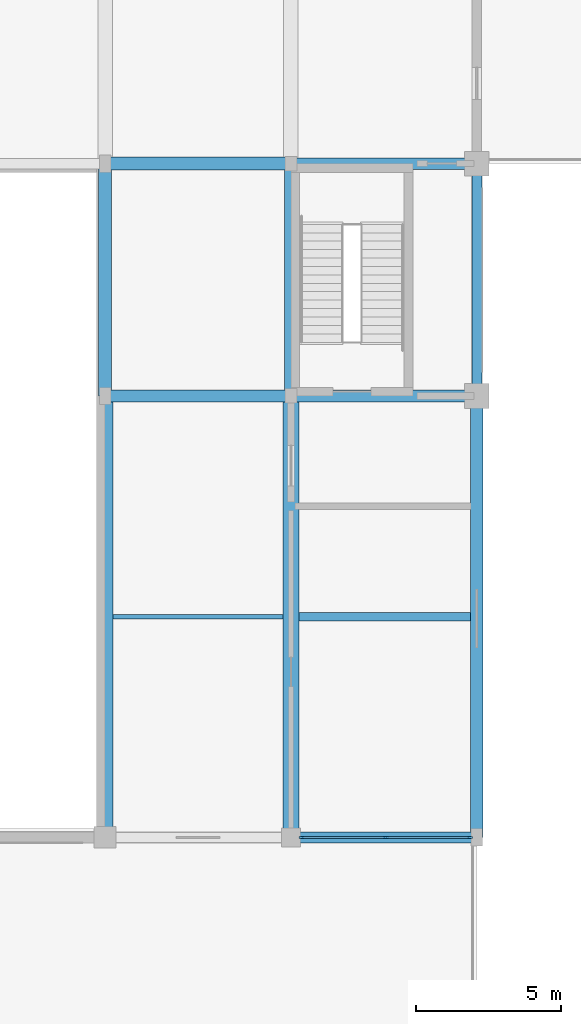
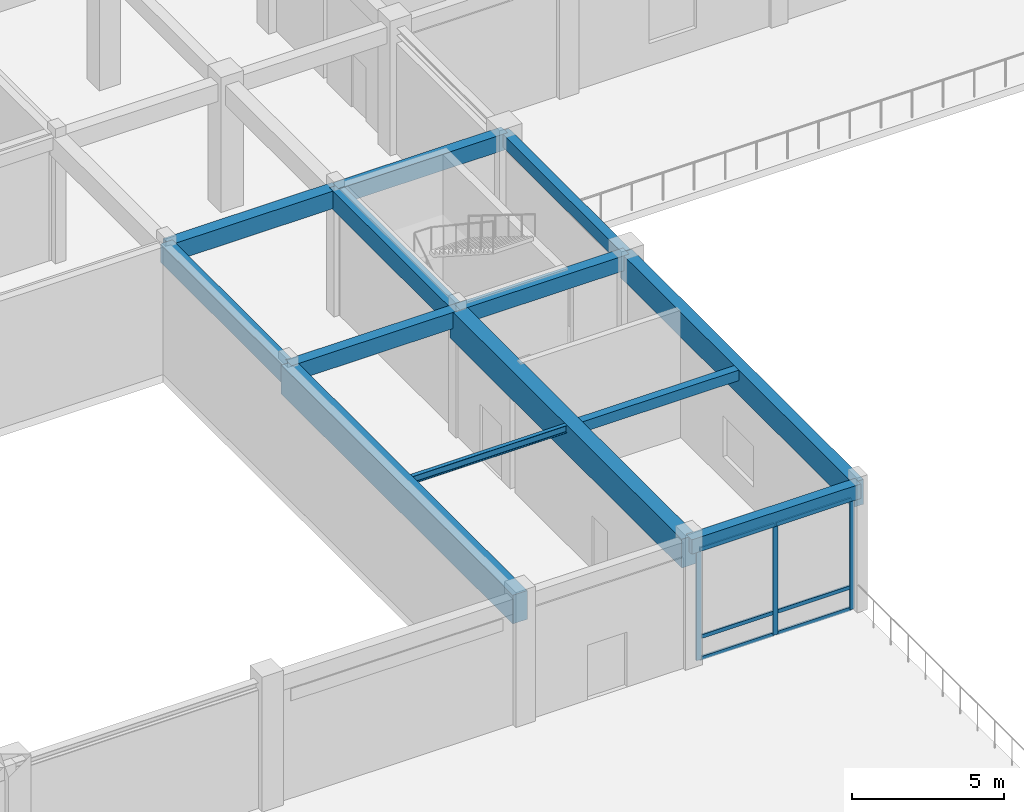
# One storey, part 4 of 36: 13 beams, 9 members, 1 element without a shape of its own.
"""IFC4 building model written with IfcOpenShell, lengths in metres."""

import ifcopenshell
import ifcopenshell.guid

model = None  # the IFC model being written
_history = None  # IfcOwnerHistory: only IFC2X3 demands one
_inside = {}  # id of a spatial element -> (the spatial element, [elements in it])
_under = {}  # id of a project, library or spatial element -> (it, [spatial elements below it])
_declared = {}  # id of a project -> (the project, [libraries it declares])
_typed = {}  # id of a type object -> (the type object, [elements of that type])
_made_of = {}  # id of a material, layer set ... -> (it, [elements and type objects made of it])


def new_model(schema):
    """Start an empty IFC model of exactly this schema.

    Asked for "IFC4X3", IfcOpenShell would pick the latest addendum, in which some entities
    have other attributes; the version numbers below select the first issue.
    IFC2X3 requires an IfcOwnerHistory on every rooted entity: one is made here for all.
    """
    global model, _history
    if schema == "IFC4X3":
        model = ifcopenshell.file(schema_version=(4, 3, 0, 0))
    else:
        model = ifcopenshell.file(schema=schema)
    _inside.clear()
    _under.clear()
    _declared.clear()
    _typed.clear()
    _made_of.clear()
    _history = None
    if model.schema == "IFC2X3":
        org = make("IfcOrganization", Name="unknown")
        user = make(
            "IfcPersonAndOrganization",
            ThePerson=make("IfcPerson", FamilyName="unknown"),
            TheOrganization=org,
        )
        app = make(
            "IfcApplication",
            ApplicationDeveloper=org,
            Version="unknown",
            ApplicationFullName="unknown",
            ApplicationIdentifier="unknown",
        )
        _history = make(
            "IfcOwnerHistory",
            OwningUser=user,
            OwningApplication=app,
            ChangeAction="ADDED",
            CreationDate=0,
        )
    return model


def make(cls, **values):
    """One entity of the class cls with the attributes given. An attribute that is None is left unset."""
    return model.create_entity(
        cls, **{name: value for name, value in values.items() if value is not None}
    )


def rooted(cls, **values):
    """An entity with a GlobalId (a new one), such as an element, a storey or a relation."""
    return make(cls, GlobalId=ifcopenshell.guid.new(), OwnerHistory=_history, **values)


def si_unit(unit_type, name, prefix=None):
    """IfcSIUnit, for example si_unit("LENGTHUNIT", "METRE", prefix="MILLI")."""
    return make("IfcSIUnit", UnitType=unit_type, Prefix=prefix, Name=name)


def assignment(units):
    """IfcUnitAssignment: the units of a project."""
    return None if units is None else make("IfcUnitAssignment", Units=units)


def point(xyz):
    """IfcCartesianPoint."""
    return None if xyz is None else make("IfcCartesianPoint", Coordinates=xyz)


def direction(xyz):
    """IfcDirection."""
    return None if xyz is None else make("IfcDirection", DirectionRatios=xyz)


def frame(location, z_axis=None, x_axis=None):
    """IfcAxis2Placement3D, a coordinate frame: its origin and axes. An axis left out is left unset."""
    return make(
        "IfcAxis2Placement3D",
        Location=point(location),
        Axis=direction(z_axis),
        RefDirection=direction(x_axis),
    )


def frame_2d(location, x_axis=None):
    """IfcAxis2Placement2D, a coordinate frame in the plane: its origin and x axis."""
    return make(
        "IfcAxis2Placement2D", Location=point(location), RefDirection=direction(x_axis)
    )


def origin():
    """The frame at (0, 0, 0) with its axes left unset."""
    return frame((0.0, 0.0, 0.0))


def origin_2d():
    """The frame at (0, 0) in the plane with its x axis left unset."""
    return frame_2d((0.0, 0.0))


def place(relative_to, where):
    """IfcLocalPlacement: puts the frame where relative to a parent placement (None: the world)."""
    return make(
        "IfcLocalPlacement", PlacementRelTo=relative_to, RelativePlacement=where
    )


def context(
    kind, dimensions, precision=None, world=None, true_north=None, identifier=None
):
    """IfcGeometricRepresentationContext, for example the 3D "Model" context."""
    return make(
        "IfcGeometricRepresentationContext",
        ContextIdentifier=identifier,
        ContextType=kind,
        CoordinateSpaceDimension=dimensions,
        Precision=precision,
        WorldCoordinateSystem=world,
        TrueNorth=true_north,
    )


def subcontext(parent, identifier, kind, view, scale=None):
    """IfcGeometricRepresentationSubContext, for example "Body" below "Model"."""
    return make(
        "IfcGeometricRepresentationSubContext",
        ContextIdentifier=identifier,
        ContextType=kind,
        ParentContext=parent,
        TargetScale=scale,
        TargetView=view,
    )


def project(units=None, contexts=None):
    """IfcProject with its units and contexts."""
    return rooted(
        "IfcProject",
        Name="project",
        RepresentationContexts=contexts,
        UnitsInContext=assignment(units),
    )


def spatial(cls, under=None, at=None, **own):
    """A site, building, storey or space (cls), placed at a placement, below another one or the project."""
    s = rooted(cls, ObjectPlacement=at, **own)
    if under is not None:
        _under.setdefault(under.id(), (under, []))[1].append(s)
    return s


def profile(cls, at=None, kind="AREA", **sizes):
    """A parametric profile (cls). Its sizes go by their IFC names, for example OverallWidth=200.0."""
    return make(cls, ProfileType=kind, Position=at, **sizes)


def rectangle(**sizes):
    """IfcRectangleProfileDef."""
    return profile("IfcRectangleProfileDef", **sizes)


def i_section(**sizes):
    """IfcIShapeProfileDef."""
    return profile("IfcIShapeProfileDef", **sizes)


def extrude(swept, where, along, depth):
    """IfcExtrudedAreaSolid: the profile swept, set in the frame where, extruded along a direction by depth."""
    return make(
        "IfcExtrudedAreaSolid",
        SweptArea=swept,
        Position=where,
        ExtrudedDirection=direction(along),
        Depth=depth,
    )


def shape(context_of_items, identifier, shape_type, items):
    """IfcShapeRepresentation: the items that make up one representation, for example the "Body"."""
    return make(
        "IfcShapeRepresentation",
        ContextOfItems=context_of_items,
        RepresentationIdentifier=identifier,
        RepresentationType=shape_type,
        Items=items,
    )


def material(Name=None, Category=None):
    """IfcMaterial."""
    return make("IfcMaterial", Name=Name, Category=Category)


def material_profile(
    of_material, cross_section, Name=None, Category=None, Priority=None
):
    """IfcMaterialProfile: a cross section and its material."""
    return make(
        "IfcMaterialProfile",
        Name=Name,
        Material=of_material,
        Profile=cross_section,
        Priority=Priority,
        Category=Category,
    )


def profile_set(profiles, Name=None, composite=None):
    """IfcMaterialProfileSet."""
    return make(
        "IfcMaterialProfileSet",
        Name=Name,
        MaterialProfiles=profiles,
        CompositeProfile=composite,
    )


def made_of(thing, what):
    """Note that an element or type object is made of a material, layer set ...; save() writes the relation."""
    if what is not None:
        _made_of.setdefault(what.id(), (what, []))[1].append(thing)
    return thing


def type_object(cls, material=None, **own):
    """A type object (cls), such as IfcWallType, which elements share."""
    return made_of(rooted(cls, **own), material)


def element(
    cls,
    number,
    at=None,
    inside=None,
    cuts=None,
    type_object=None,
    material=None,
    context=None,
    identifier="Body",
    shape_type=None,
    held_by="IfcProductDefinitionShape",
    body=None,
    shapes=None,
    **own,
):
    """One element of the class cls, such as IfcWall. Its Tag is "e" and its number.

    at: its placement. inside: the storey or other place that contains it. cuts: it is an
    opening in that element (IfcRelVoidsElement). A single representation is given by context,
    identifier, shape_type and body (its items); several are given by shapes. held_by: the class
    of the entity that holds the representations. save() writes the other relations.
    """
    e = rooted(cls, Tag="e%d" % number, ObjectPlacement=at, **own)
    if body is not None:
        shapes = [shape(context, identifier, shape_type, body)]
    if shapes is not None:
        e.Representation = make(held_by, Representations=shapes)
    if inside is not None:
        _inside.setdefault(inside.id(), (inside, []))[1].append(e)
    if cuts is not None:
        rooted(
            "IfcRelVoidsElement", RelatingBuildingElement=cuts, RelatedOpeningElement=e
        )
    if type_object is not None:
        _typed.setdefault(type_object.id(), (type_object, []))[1].append(e)
    return made_of(e, material)


def aggregate(whole, parts):
    """IfcRelAggregates: a whole, such as a stair, and the parts it consists of."""
    return rooted("IfcRelAggregates", RelatingObject=whole, RelatedObjects=parts)


def save(model, path):
    """Write the relations noted so far, then the file.

    IfcRelAggregates (storeys below a building ...), IfcRelContainedInSpatialStructure (elements
    in a storey), IfcRelDefinesByType, IfcRelAssociatesMaterial and IfcRelDeclares: one each for
    every whole, place, type object, material and project.
    """
    for whole, parts in _under.values():
        aggregate(whole, parts)
    for where, things in _inside.values():
        rooted(
            "IfcRelContainedInSpatialStructure",
            RelatedElements=things,
            RelatingStructure=where,
        )
    for kind, things in _typed.values():
        rooted("IfcRelDefinesByType", RelatedObjects=things, RelatingType=kind)
    for what, things in _made_of.values():
        rooted("IfcRelAssociatesMaterial", RelatedObjects=things, RelatingMaterial=what)
    for by, libraries in _declared.values():
        rooted("IfcRelDeclares", RelatingContext=by, RelatedDefinitions=libraries)
    model.write(path)


model = new_model("IFC4")

# Units and contexts
model_context = context("Model", 3, precision=1e-05, world=origin(), true_north=direction((0.0, 1.0)))
body_context = subcontext(model_context, "Body", "Model", "MODEL_VIEW")
ifc_project = project(units=[si_unit("LENGTHUNIT", "METRE"), si_unit("AREAUNIT", "SQUARE_METRE"), si_unit("VOLUMEUNIT", "CUBIC_METRE"), si_unit("PLANEANGLEUNIT", "RADIAN"), si_unit("MASSUNIT", "GRAM", prefix="KILO")], contexts=[model_context])

# Site, building, storey
site_placement = place(None, origin())
site = spatial("IfcSite", under=ifc_project, at=site_placement, CompositionType="ELEMENT")
building_placement = place(site_placement, origin())
building = spatial("IfcBuilding", under=site, at=building_placement, Name="Vellmiral Cinema and Media Centre", CompositionType="ELEMENT")
storey_placement = place(building_placement, frame((0.0, 0.0, 5.39990234375)))
storey = spatial("IfcBuildingStorey", under=building, at=storey_placement, Name="L01", CompositionType="ELEMENT", Elevation=5.39990234375)

# Beams
ifc_material_1 = material(Name="Concrete C40/50", Category="concrete")
ifc_material_profile_1 = material_profile(ifc_material_1, rectangle(XDim=0.39990234375, YDim=0.60009765625, at=origin_2d()), Name="RC 400x600")
ifc_profile_set_1 = profile_set([ifc_material_profile_1], Name="Concrete C40/50")
beam_type_1 = type_object("IfcBeamType", Name="BM-RC-400x600", PredefinedType="BEAM", material=ifc_profile_set_1)
beam_1_placement = place(storey_placement, frame((41.60009765625, 28.0, 4.735107421875), z_axis=(1.0, 0.0, 0.0), x_axis=(0.0, 1.0, 0.0)))
element("IfcBeam", 1, at=beam_1_placement, inside=storey, type_object=beam_type_1, Name="Grid Beam L01-X013", PredefinedType="BEAM", context=body_context, shape_type="SweptSolid", body=[
    extrude(rectangle(XDim=0.39990234375, YDim=0.60009765625, at=origin_2d()), origin(), (0.0, 0.0, 1.0), 6.39990234375),
])
ifc_material_2 = material(Name="Concrete C40/50", Category="concrete")
ifc_material_profile_2 = material_profile(ifc_material_2, rectangle(XDim=0.39990234375, YDim=0.64990234375, at=origin_2d()), Name="RC 400x650")
ifc_profile_set_2 = profile_set([ifc_material_profile_2], Name="Concrete C40/50")
beam_type_2 = type_object("IfcBeamType", Name="BM-RC-400x650", PredefinedType="BEAM", material=ifc_profile_set_2)
beam_2_placement = place(storey_placement, frame((35.199951171875, 28.0, 4.710205078125), z_axis=(1.0, 0.0, 0.0), x_axis=(0.0, 1.0, 0.0)))
element("IfcBeam", 2, at=beam_2_placement, inside=storey, type_object=beam_type_2, Name="Grid Beam L01-X012", PredefinedType="BEAM", context=body_context, shape_type="SweptSolid", body=[
    extrude(rectangle(XDim=0.39990234375, YDim=0.64990234375, at=origin_2d()), origin(), (0.0, 0.0, 1.0), 6.400146484375),
])
beam_3_placement = place(storey_placement, frame((41.60009765625, 36.0, 4.710205078125), z_axis=(1.0, 0.0, 0.0), x_axis=(0.0, 1.0, 0.0)))
element("IfcBeam", 3, at=beam_3_placement, inside=storey, type_object=beam_type_2, Name="Grid Beam L01-X023", PredefinedType="BEAM", context=body_context, shape_type="SweptSolid", body=[
    extrude(rectangle(XDim=0.39990234375, YDim=0.64990234375, at=origin_2d()), origin(), (0.0, 0.0, 1.0), 6.39990234375),
])
ifc_material_3 = material(Name="Concrete C40/50", Category="concrete")
ifc_material_profile_3 = material_profile(ifc_material_3, rectangle(XDim=0.449951171875, YDim=0.699951171875, at=origin_2d()), Name="RC 450x700")
ifc_profile_set_3 = profile_set([ifc_material_profile_3], Name="Concrete C40/50")
beam_type_3 = type_object("IfcBeamType", Name="BM-RC-450x700", PredefinedType="BEAM", material=ifc_profile_set_3)
beam_4_placement = place(storey_placement, frame((35.199951171875, 36.0, 4.68505859375), z_axis=(1.0, 0.0, 0.0), x_axis=(0.0, 1.0, 0.0)))
element("IfcBeam", 4, at=beam_4_placement, inside=storey, type_object=beam_type_3, Name="Grid Beam L01-X022", PredefinedType="BEAM", context=body_context, shape_type="SweptSolid", body=[
    extrude(rectangle(XDim=0.449951171875, YDim=0.699951171875, at=origin_2d()), origin(), (0.0, 0.0, 1.0), 6.400146484375),
])
ifc_material_4 = material(Name="Concrete C40/50", Category="concrete")
ifc_material_profile_4 = material_profile(ifc_material_4, rectangle(XDim=0.449951171875, YDim=0.75, at=origin_2d()), Name="RC 450x750")
ifc_profile_set_4 = profile_set([ifc_material_profile_4], Name="Concrete C40/50")
beam_type_4 = type_object("IfcBeamType", Name="BM-RC-450x750", PredefinedType="BEAM", material=ifc_profile_set_4)
for number, where, z_axis, x_axis, name in (
    (5, (35.199951171875, 28.0, 4.66015625), (0.0, 1.0, 0.0), (-1.0, 0.0, 0.0), "Grid Beam L01-Y205"),
    (6, (41.60009765625, 28.0, 4.66015625), (0.0, 1.0, 0.0), (-1.0, 0.0, 0.0), "Grid Beam L01-Y216"),
):
    element("IfcBeam", number, at=place(storey_placement, frame(where, z_axis=z_axis, x_axis=x_axis)), inside=storey, type_object=beam_type_4, Name=name, PredefinedType="BEAM", context=body_context, shape_type="SweptSolid", body=[
        extrude(rectangle(XDim=0.449951171875, YDim=0.75, at=origin_2d()), origin(), (0.0, 0.0, 1.0), 8.0),
    ])
ifc_material_5 = material(Name="Concrete C40/50", Category="concrete")
ifc_material_profile_5 = material_profile(ifc_material_5, rectangle(XDim=0.550048828125, YDim=1.14990234375, at=origin_2d()), Name="RC 550x1150")
ifc_profile_set_5 = profile_set([ifc_material_profile_5], Name="Concrete C40/50")
beam_type_5 = type_object("IfcBeamType", Name="BM-RCG-550x1150", PredefinedType="BEAM", material=ifc_profile_set_5)
for number, where, z_axis, x_axis, name in (
    (7, (35.199951171875, 12.800048828125, 4.460205078125), (0.0, 1.0, 0.0), (-1.0, 0.0, 0.0), "Grid Beam L01-Y204"),
    (8, (41.60009765625, 12.800048828125, 4.460205078125), (0.0, 1.0, 0.0), (-1.0, 0.0, 0.0), "Grid Beam L01-Y215"),
):
    element("IfcBeam", number, at=place(storey_placement, frame(where, z_axis=z_axis, x_axis=x_axis)), inside=storey, type_object=beam_type_5, Name=name, PredefinedType="BEAM", context=body_context, shape_type="SweptSolid", body=[
        extrude(rectangle(XDim=0.550048828125, YDim=1.14990234375, at=origin_2d()), origin(), (0.0, 0.0, 1.0), 15.199951171875),
    ])

# Curtain wall, members
ifc_material_6 = material(Name="Thermally Broken Aluminium and Triple Glazing", Category="aluminium")
curtain_wall_type = type_object("IfcCurtainWallType", Name="CW-POD-GALLERY", PredefinedType="USERDEFINED", material=ifc_material_6)
curtain_wall_placement = place(storey_placement, origin())
curtain_wall = element("IfcCurtainWall", 9, at=curtain_wall_placement, inside=storey, type_object=curtain_wall_type, Name="Curtain Wall L01-B006", ObjectType="STICK CURTAIN WALL", PredefinedType="USERDEFINED")
ifc_material_7 = material(Name="Thermally Broken Anodised Aluminium", Category="aluminium")
ifc_material_profile_6 = material_profile(ifc_material_7, rectangle(XDim=0.070068359375, YDim=0.179931640625, at=origin_2d()), Name="MULL 70x180")
ifc_profile_set_6 = profile_set([ifc_material_profile_6], Name="Thermally Broken Anodised Aluminium")
member_type_1 = type_object("IfcMemberType", Name="CWM-70x180", PredefinedType="MULLION", material=ifc_profile_set_6)
member_1_placement = place(storey_placement, frame((41.9599609375, 12.800048828125, 0.0), z_axis=(0.0, 0.0, 1.0), x_axis=(0.0, 1.0, 0.0)))
member_1 = element("IfcMember", 10, at=member_1_placement, type_object=member_type_1, Name="CW-04 mullion 1", PredefinedType="MULLION", context=body_context, shape_type="SweptSolid", body=[
    extrude(rectangle(XDim=0.070068359375, YDim=0.179931640625, at=origin_2d()), origin(), (0.0, 0.0, 1.0), 4.440185546875),
])
member_2_placement = place(storey_placement, frame((44.862548828125, 12.800048828125, 0.0), z_axis=(0.0, 0.0, 1.0), x_axis=(0.0, 1.0, 0.0)))
member_2 = element("IfcMember", 11, at=member_2_placement, type_object=member_type_1, Name="CW-04 mullion 2", PredefinedType="MULLION", context=body_context, shape_type="SweptSolid", body=[
    extrude(rectangle(XDim=0.070068359375, YDim=0.179931640625, at=origin_2d()), origin(), (0.0, 0.0, 1.0), 4.440185546875),
])
member_3_placement = place(storey_placement, frame((47.764892578125, 12.800048828125, 0.0), z_axis=(0.0, 0.0, 1.0), x_axis=(0.0, 1.0, 0.0)))
member_3 = element("IfcMember", 12, at=member_3_placement, type_object=member_type_1, Name="CW-04 mullion 3", PredefinedType="MULLION", context=body_context, shape_type="SweptSolid", body=[
    extrude(rectangle(XDim=0.070068359375, YDim=0.179931640625, at=origin_2d()), origin(), (0.0, 0.0, 1.0), 4.440185546875),
])
ifc_material_8 = material(Name="Thermally Broken Anodised Aluminium", Category="aluminium")
ifc_material_profile_7 = material_profile(ifc_material_8, rectangle(XDim=0.070068359375, YDim=0.14990234375, at=origin_2d()), Name="MULL 70x150")
ifc_profile_set_7 = profile_set([ifc_material_profile_7], Name="Thermally Broken Anodised Aluminium")
member_type_2 = type_object("IfcMemberType", Name="CWT-70x150", PredefinedType="USERDEFINED", material=ifc_profile_set_7)
member_4_placement = place(storey_placement, frame((41.9951171875, 12.800048828125, 0.03515625), z_axis=(1.0, 0.0, 0.0), x_axis=(0.0, 1.0, 0.0)))
member_4 = element("IfcMember", 13, at=member_4_placement, type_object=member_type_2, Name="CW-04 transom 1.1", ObjectType="TRANSOM", PredefinedType="USERDEFINED", context=body_context, shape_type="SweptSolid", body=[
    extrude(rectangle(XDim=0.070068359375, YDim=0.14990234375, at=origin_2d()), origin(), (0.0, 0.0, 1.0), 2.832275390625),
])
member_5_placement = place(storey_placement, frame((41.9951171875, 12.800048828125, 0.900146484375), z_axis=(1.0, 0.0, 0.0), x_axis=(0.0, 1.0, 0.0)))
member_5 = element("IfcMember", 14, at=member_5_placement, type_object=member_type_2, Name="CW-04 transom 1.2", ObjectType="TRANSOM", PredefinedType="USERDEFINED", context=body_context, shape_type="SweptSolid", body=[
    extrude(rectangle(XDim=0.070068359375, YDim=0.14990234375, at=origin_2d()), origin(), (0.0, 0.0, 1.0), 2.832275390625),
])
member_6_placement = place(storey_placement, frame((41.9951171875, 12.800048828125, 4.405029296875), z_axis=(1.0, 0.0, 0.0), x_axis=(0.0, 1.0, 0.0)))
member_6 = element("IfcMember", 15, at=member_6_placement, type_object=member_type_2, Name="CW-04 transom 1.3", ObjectType="TRANSOM", PredefinedType="USERDEFINED", context=body_context, shape_type="SweptSolid", body=[
    extrude(rectangle(XDim=0.070068359375, YDim=0.14990234375, at=origin_2d()), origin(), (0.0, 0.0, 1.0), 2.832275390625),
])
member_7_placement = place(storey_placement, frame((44.8974609375, 12.800048828125, 0.03515625), z_axis=(1.0, 0.0, 0.0), x_axis=(0.0, 1.0, 0.0)))
member_7 = element("IfcMember", 16, at=member_7_placement, type_object=member_type_2, Name="CW-04 transom 2.1", ObjectType="TRANSOM", PredefinedType="USERDEFINED", context=body_context, shape_type="SweptSolid", body=[
    extrude(rectangle(XDim=0.070068359375, YDim=0.14990234375, at=origin_2d()), origin(), (0.0, 0.0, 1.0), 2.83251953125),
])
member_8_placement = place(storey_placement, frame((44.8974609375, 12.800048828125, 0.900146484375), z_axis=(1.0, 0.0, 0.0), x_axis=(0.0, 1.0, 0.0)))
member_8 = element("IfcMember", 17, at=member_8_placement, type_object=member_type_2, Name="CW-04 transom 2.2", ObjectType="TRANSOM", PredefinedType="USERDEFINED", context=body_context, shape_type="SweptSolid", body=[
    extrude(rectangle(XDim=0.070068359375, YDim=0.14990234375, at=origin_2d()), origin(), (0.0, 0.0, 1.0), 2.83251953125),
])
member_9_placement = place(storey_placement, frame((44.8974609375, 12.800048828125, 4.405029296875), z_axis=(1.0, 0.0, 0.0), x_axis=(0.0, 1.0, 0.0)))
member_9 = element("IfcMember", 18, at=member_9_placement, type_object=member_type_2, Name="CW-04 transom 2.3", ObjectType="TRANSOM", PredefinedType="USERDEFINED", context=body_context, shape_type="SweptSolid", body=[
    extrude(rectangle(XDim=0.070068359375, YDim=0.14990234375, at=origin_2d()), origin(), (0.0, 0.0, 1.0), 2.83251953125),
])
aggregate(curtain_wall, [member_1, member_2, member_3, member_4, member_5, member_6, member_7, member_8, member_9])

# Beams
ifc_material_9 = material(Name="Concrete C40/50", Category="concrete")
ifc_material_profile_8 = material_profile(ifc_material_9, rectangle(XDim=0.300048828125, YDim=0.419921875, at=origin_2d()), Name="RC 300x420")
ifc_profile_set_8 = profile_set([ifc_material_profile_8], Name="Concrete C40/50")
beam_type_6 = type_object("IfcBeamType", Name="JST-RC-300x420", PredefinedType="JOIST", material=ifc_profile_set_8)
beam_5_placement = place(storey_placement, frame((41.875, 20.39990234375, 4.8251953125), z_axis=(1.0, 0.0, 0.0), x_axis=(0.0, 1.0, 0.0)))
element("IfcBeam", 19, at=beam_5_placement, inside=storey, type_object=beam_type_6, Name="Secondary Floor Joist L01-005", PredefinedType="JOIST", context=body_context, shape_type="SweptSolid", body=[
    extrude(rectangle(XDim=0.300048828125, YDim=0.419921875, at=origin_2d()), origin(), (0.0, 0.0, 1.0), 5.9150390625),
])
ifc_material_10 = material(Name="Steel S355", Category="steel")
ifc_material_profile_9 = material_profile(ifc_material_10, i_section(OverallWidth=0.14990234375, OverallDepth=0.300048828125, WebThickness=0.007080078125, FlangeThickness=0.0107421875, FilletRadius=0.014892578125, at=origin_2d()), Name="IPE 300")
ifc_profile_set_9 = profile_set([ifc_material_profile_9], Name="Steel S355")
beam_type_7 = type_object("IfcBeamType", Name="SBM-IPE300", PredefinedType="JOIST", material=ifc_profile_set_9)
beam_6_placement = place(storey_placement, frame((35.47509765625, 20.39990234375, 4.885009765625), z_axis=(1.0, 0.0, 0.0), x_axis=(0.0, 1.0, 0.0)))
element("IfcBeam", 20, at=beam_6_placement, inside=storey, type_object=beam_type_7, Name="Secondary Floor Joist L01-003", PredefinedType="JOIST", context=body_context, shape_type="SweptSolid", body=[
    extrude(i_section(OverallWidth=0.14990234375, OverallDepth=0.300048828125, WebThickness=0.007080078125, FlangeThickness=0.0107421875, FilletRadius=0.014892578125, at=origin_2d()), origin(), (0.0, 0.0, 1.0), 5.849853515625),
])
ifc_material_11 = material(Name="Vosges Red Sandstone Masonry", Category="masonry")
ifc_material_profile_10 = material_profile(ifc_material_11, rectangle(XDim=0.340087890625, YDim=0.52001953125, at=origin_2d()), Name="SAND 340x520")
ifc_profile_set_10 = profile_set([ifc_material_profile_10], Name="Vosges Red Sandstone Masonry")
beam_type_8 = type_object("IfcBeamType", Name="SPD-SAND-340x520", PredefinedType="SPANDREL", material=ifc_profile_set_10)
beam_7_placement = place(storey_placement, frame((48.0, 28.0, 4.775146484375), z_axis=(0.0, 1.0, 0.0), x_axis=(-1.0, 0.0, 0.0)))
element("IfcBeam", 21, at=beam_7_placement, inside=storey, type_object=beam_type_8, Name="Grid Beam L01-Y227", PredefinedType="SPANDREL", context=body_context, shape_type="SweptSolid", body=[
    extrude(rectangle(XDim=0.340087890625, YDim=0.52001953125, at=origin_2d()), origin(), (0.0, 0.0, 1.0), 8.0),
])
ifc_material_12 = material(Name="Vosges Red Sandstone Masonry", Category="masonry")
ifc_material_profile_11 = material_profile(ifc_material_12, rectangle(XDim=0.3798828125, YDim=0.580078125, at=origin_2d()), Name="SAND 380x580")
ifc_profile_set_11 = profile_set([ifc_material_profile_11], Name="Vosges Red Sandstone Masonry")
beam_type_9 = type_object("IfcBeamType", Name="SPD-SAND-380x580", PredefinedType="SPANDREL", material=ifc_profile_set_11)
beam_8_placement = place(storey_placement, frame((41.60009765625, 12.800048828125, 4.7451171875), z_axis=(1.0, 0.0, 0.0), x_axis=(0.0, 1.0, 0.0)))
element("IfcBeam", 22, at=beam_8_placement, inside=storey, type_object=beam_type_9, Name="Grid Beam L01-X006", PredefinedType="SPANDREL", context=body_context, shape_type="SweptSolid", body=[
    extrude(rectangle(XDim=0.3798828125, YDim=0.580078125, at=origin_2d()), origin(), (0.0, 0.0, 1.0), 6.39990234375),
])
ifc_material_13 = material(Name="Vosges Red Sandstone Masonry", Category="masonry")
ifc_material_profile_12 = material_profile(ifc_material_13, rectangle(XDim=0.419921875, YDim=1.0, at=origin_2d()), Name="SAND 420x1000")
ifc_profile_set_12 = profile_set([ifc_material_profile_12], Name="Vosges Red Sandstone Masonry")
beam_type_10 = type_object("IfcBeamType", Name="SPD-SANDG-420x1000", PredefinedType="SPANDREL", material=ifc_profile_set_12)
beam_9_placement = place(storey_placement, frame((48.0, 12.800048828125, 4.53515625), z_axis=(0.0, 1.0, 0.0), x_axis=(-1.0, 0.0, 0.0)))
element("IfcBeam", 23, at=beam_9_placement, inside=storey, type_object=beam_type_10, Name="Grid Beam L01-Y226", PredefinedType="SPANDREL", context=body_context, shape_type="SweptSolid", body=[
    extrude(rectangle(XDim=0.419921875, YDim=1.0, at=origin_2d()), origin(), (0.0, 0.0, 1.0), 15.199951171875),
])

save(model, "model.ifc")
